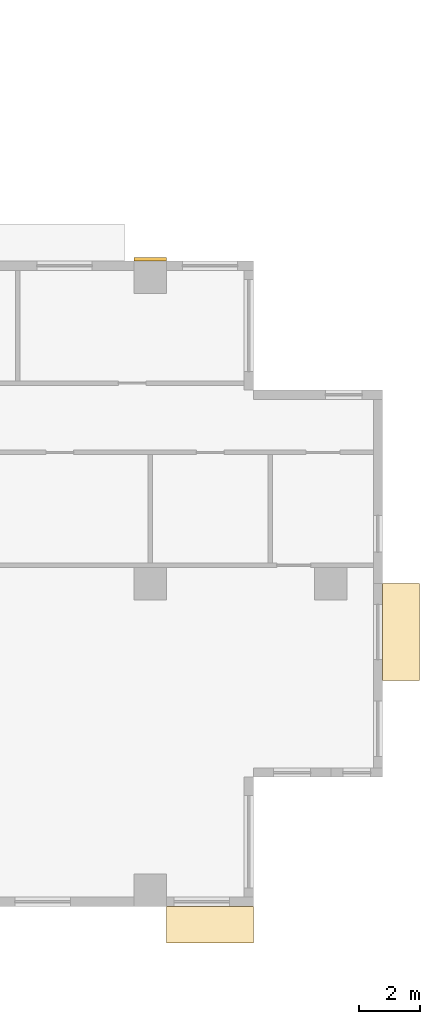
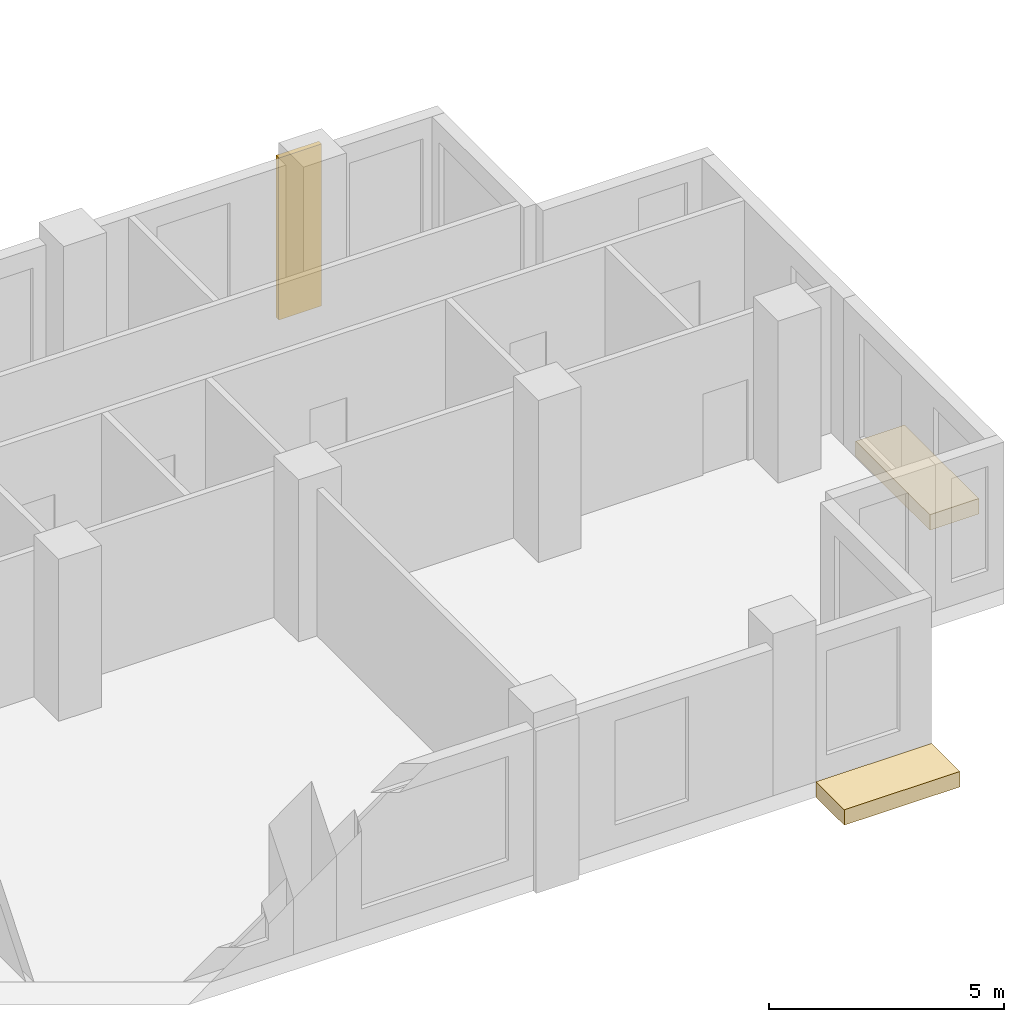
# One storey, part 13 of 13: 3 coverings.
"""IFC4 building model written with IfcOpenShell, lengths in metres."""

from ifc_helpers import new_model, si_unit, direction, frame, origin, origin_2d, place, context, subcontext, project, spatial, polyline, rectangle, outline, extrude, source, transform, mapped, material, type_object, element, save


model = new_model("IFC4")

# Units and contexts
model_context = context("Model", 3, precision=1e-05, world=origin(), true_north=direction((0.0, 1.0)))
body_context = subcontext(model_context, "Body", "Model", "MODEL_VIEW")
ifc_project = project(units=[si_unit("LENGTHUNIT", "METRE"), si_unit("AREAUNIT", "SQUARE_METRE"), si_unit("VOLUMEUNIT", "CUBIC_METRE"), si_unit("PLANEANGLEUNIT", "RADIAN"), si_unit("MASSUNIT", "GRAM", prefix="KILO")], contexts=[model_context])

# Site, building, storey
site_placement = place(None, origin())
site = spatial("IfcSite", under=ifc_project, at=site_placement, CompositionType="ELEMENT")
building_placement = place(site_placement, origin())
building = spatial("IfcBuilding", under=site, at=building_placement, Name="Aurelian Terraces", CompositionType="ELEMENT")
storey_placement = place(building_placement, frame((0.0, 0.0, 158.1)))
storey = spatial("IfcBuildingStorey", under=building, at=storey_placement, Name="L35", CompositionType="ELEMENT", Elevation=158.1)

# Coverings
ifc_material_1 = material(Name="Terracotta roof tiles on membrane", Category="masonry")
covering_type_1 = type_object("IfcCoveringType", Name="Bay roof cover", PredefinedType="ROOFING", material=ifc_material_1)
covering_1_placement = place(storey_placement, frame((0.0, 0.0, -0.4)))
element("IfcCovering", 1, at=covering_1_placement, inside=storey, type_object=covering_type_1, Name="Bay roof L35 71.40_7.35_72.60_10.50", PredefinedType="ROOFING", context=body_context, shape_type="SweptSolid", body=[
    extrude(outline(polyline([(71.4, 7.35), (71.4, 10.5), (72.6, 10.5), (72.6, 7.35), (71.4, 7.35)])), origin(), (0.0, 0.0, 1.0), 0.4),
])
ifc_material_2 = material(Name="Terracotta rainscreen cladding relief", Category="masonry")
covering_type_2 = type_object("IfcCoveringType", Name="BAGUETTE-TC", PredefinedType="CLADDING", material=ifc_material_2)
shared_shape_1 = source(origin(), body_context, "Body", "SweptSolid", [
    extrude(rectangle(XDim=1.05, YDim=0.12, at=origin_2d()), origin(), (0.0, 0.0, 1.0), 4.2),
])
covering_2_placement = place(storey_placement, frame((63.84, 21.06, -0.4), z_axis=(0.0, 0.0, 1.0), x_axis=(1.0, 0.0, 0.0)))
element("IfcCovering", 2, at=covering_2_placement, inside=storey, type_object=covering_type_2, Name="BAGUETTE pier L35 9", PredefinedType="CLADDING", context=body_context, shape_type="MappedRepresentation", body=[
    mapped(shared_shape_1, transform((0.0, 0.0, 0.0), scale=1.0)),
])
shared_shape_2 = source(origin(), body_context, "Body", "SweptSolid", [
    extrude(outline(polyline([(64.365, 0.0), (67.2, 0.0), (67.2, -1.2), (64.365, -1.2), (64.365, 0.0)])), origin(), (0.0, 0.0, 1.0), 0.4),
])
covering_3_placement = place(storey_placement, frame((0.0, 0.0, -0.4)))
element("IfcCovering", 3, at=covering_3_placement, inside=storey, type_object=covering_type_1, Name="Bay roof L35 64.36_-1.20_67.20_0.00", PredefinedType="ROOFING", context=body_context, shape_type="MappedRepresentation", body=[
    mapped(shared_shape_2, transform((0.0, 0.0, 0.0), scale=1.0)),
])

save(model, "model.ifc")
